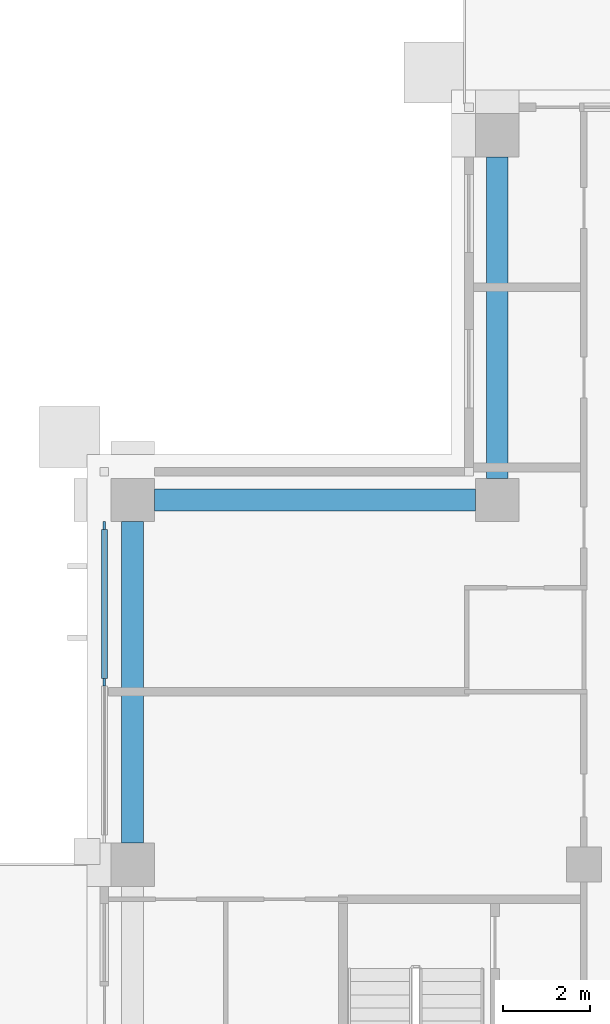
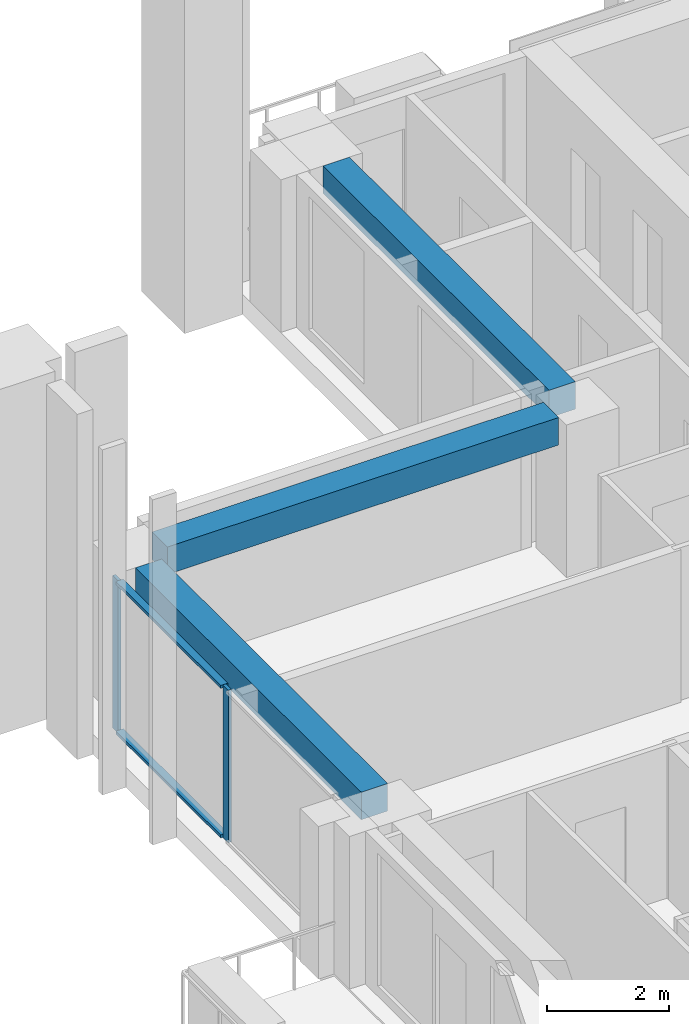
# One storey, part 5 of 18: 4 members, 3 beams, 1 element without a shape of its own.
"""IFC4 building model written with IfcOpenShell, lengths in metres."""

from ifc_helpers import new_model, si_unit, direction, frame, origin, origin_2d, place, context, subcontext, project, spatial, rectangle, extrude, material, material_profile, profile_set, type_object, element, aggregate, save


model = new_model("IFC4")

# Units and contexts
model_context = context("Model", 3, precision=1e-05, world=origin(), true_north=direction((0.0, 1.0)))
body_context = subcontext(model_context, "Body", "Model", "MODEL_VIEW")
ifc_project = project(units=[si_unit("LENGTHUNIT", "METRE"), si_unit("AREAUNIT", "SQUARE_METRE"), si_unit("VOLUMEUNIT", "CUBIC_METRE"), si_unit("PLANEANGLEUNIT", "RADIAN"), si_unit("MASSUNIT", "GRAM", prefix="KILO")], contexts=[model_context])

# Site, building, storey
site_placement = place(None, origin())
site = spatial("IfcSite", under=ifc_project, at=site_placement, CompositionType="ELEMENT")
building_placement = place(site_placement, origin())
building = spatial("IfcBuilding", under=site, at=building_placement, Name="Vermilion Ogive Tower", CompositionType="ELEMENT")
storey_placement = place(building_placement, frame((0.0, 0.0, 199.699951171875)))
storey = spatial("IfcBuildingStorey", under=building, at=storey_placement, Name="L52", CompositionType="ELEMENT", Elevation=199.699951171875)

# Curtain wall, members
ifc_material_1 = material(Name="Low-iron laminated glazing in aluminium frame", Category="aluminium")
curtain_wall_type = type_object("IfcCurtainWallType", Name="Curtain wall CW7", PredefinedType="NOTDEFINED", material=ifc_material_1)
curtain_wall_placement = place(storey_placement, origin())
curtain_wall = element("IfcCurtainWall", 1, at=curtain_wall_placement, inside=storey, type_object=curtain_wall_type, Name="Glazed skin W1", PredefinedType="NOTDEFINED")
ifc_material_2 = material(Name="Aluminium mullion", Category="aluminium")
ifc_material_profile_1 = material_profile(ifc_material_2, rectangle(XDim=0.06005859375, YDim=0.179931640625, at=origin_2d()), Name="AL 60x180")
ifc_profile_set_1 = profile_set([ifc_material_profile_1], Name="Aluminium mullion")
member_type_1 = type_object("IfcMemberType", Name="CW7 mullion 60x180", PredefinedType="MULLION", material=ifc_profile_set_1)
member_1_placement = place(storey_placement, frame((-25.85009765625, 12.010009765625, 0.0), z_axis=(0.0, 0.0, 1.0), x_axis=(1.0, 0.0, 0.0)))
member_1 = element("IfcMember", 2, at=member_1_placement, type_object=member_type_1, Name="CW7-W1 mullion 1", PredefinedType="MULLION", context=body_context, shape_type="SweptSolid", body=[
    extrude(rectangle(XDim=0.06005859375, YDim=0.179931640625, at=origin_2d()), origin(), (0.0, 0.0, 1.0), 3.050048828125),
])
member_2_placement = place(storey_placement, frame((-25.85009765625, 8.39990234375, 0.0), z_axis=(0.0, 0.0, 1.0), x_axis=(1.0, 0.0, 0.0)))
member_2 = element("IfcMember", 3, at=member_2_placement, type_object=member_type_1, Name="CW7-W1 mullion 2", PredefinedType="MULLION", context=body_context, shape_type="SweptSolid", body=[
    extrude(rectangle(XDim=0.06005859375, YDim=0.179931640625, at=origin_2d()), origin(), (0.0, 0.0, 1.0), 3.050048828125),
])
ifc_material_3 = material(Name="Aluminium transom", Category="aluminium")
ifc_material_profile_2 = material_profile(ifc_material_3, rectangle(XDim=0.139892578125, YDim=0.06005859375, at=origin_2d()), Name="AL 60x140")
ifc_profile_set_2 = profile_set([ifc_material_profile_2], Name="Aluminium transom")
member_type_2 = type_object("IfcMemberType", Name="CW7 transom 60x140", PredefinedType="USERDEFINED", material=ifc_profile_set_2)
member_3_placement = place(storey_placement, frame((-25.85009765625, 11.919921875, 0.030029296875), z_axis=(0.0, -1.0, 0.0), x_axis=(1.0, 0.0, 0.0)))
member_3 = element("IfcMember", 4, at=member_3_placement, type_object=member_type_2, Name="CW7-W1 transom 1.1", ObjectType="TRANSOM", PredefinedType="USERDEFINED", context=body_context, shape_type="SweptSolid", body=[
    extrude(rectangle(XDim=0.139892578125, YDim=0.06005859375, at=origin_2d()), origin(), (0.0, 0.0, 1.0), 3.429931640625),
])
member_4_placement = place(storey_placement, frame((-25.85009765625, 11.919921875, 3.02001953125), z_axis=(0.0, -1.0, 0.0), x_axis=(1.0, 0.0, 0.0)))
member_4 = element("IfcMember", 5, at=member_4_placement, type_object=member_type_2, Name="CW7-W1 transom 1.2", ObjectType="TRANSOM", PredefinedType="USERDEFINED", context=body_context, shape_type="SweptSolid", body=[
    extrude(rectangle(XDim=0.139892578125, YDim=0.06005859375, at=origin_2d()), origin(), (0.0, 0.0, 1.0), 3.429931640625),
])
aggregate(curtain_wall, [member_1, member_2, member_3, member_4])

# Beams
ifc_material_4 = material(Name="Concrete B45", Category="concrete")
ifc_material_profile_3 = material_profile(ifc_material_4, rectangle(XDim=0.5, YDim=0.550048828125, at=origin_2d()), Name="500 x 550")
ifc_profile_set_3 = profile_set([ifc_material_profile_3], Name="Concrete B45")
beam_type = type_object("IfcBeamType", Name="Edge beam 500 x 550 B45", PredefinedType="BEAM", material=ifc_profile_set_3)
for number, where, z_axis, x_axis, name in (
    (6, (-16.800048828125, 20.5, 2.775146484375), (0.0, -1.0, 0.0), (1.0, 0.0, 0.0), "L52-EB-12"),
    (7, (-17.300048828125, 12.60009765625, 2.775146484375), (-1.0, 0.0, 0.0), (0.0, -1.0, 0.0), "L52-EB-13"),
):
    element("IfcBeam", number, at=place(storey_placement, frame(where, z_axis=z_axis, x_axis=x_axis)), inside=storey, type_object=beam_type, Name=name, PredefinedType="BEAM", context=body_context, shape_type="SweptSolid", body=[
        extrude(rectangle(XDim=0.5, YDim=0.550048828125, at=origin_2d()), origin(), (0.0, 0.0, 1.0), 7.39990234375),
    ])
beam_placement = place(storey_placement, frame((-25.199951171875, 12.10009765625, 2.775146484375), z_axis=(0.0, -1.0, 0.0), x_axis=(1.0, 0.0, 0.0)))
element("IfcBeam", 8, at=beam_placement, inside=storey, type_object=beam_type, Name="L52-EB-14", PredefinedType="BEAM", context=body_context, shape_type="SweptSolid", body=[
    extrude(rectangle(XDim=0.5, YDim=0.550048828125, at=origin_2d()), origin(), (0.0, 0.0, 1.0), 7.400146484375),
])

save(model, "model.ifc")
